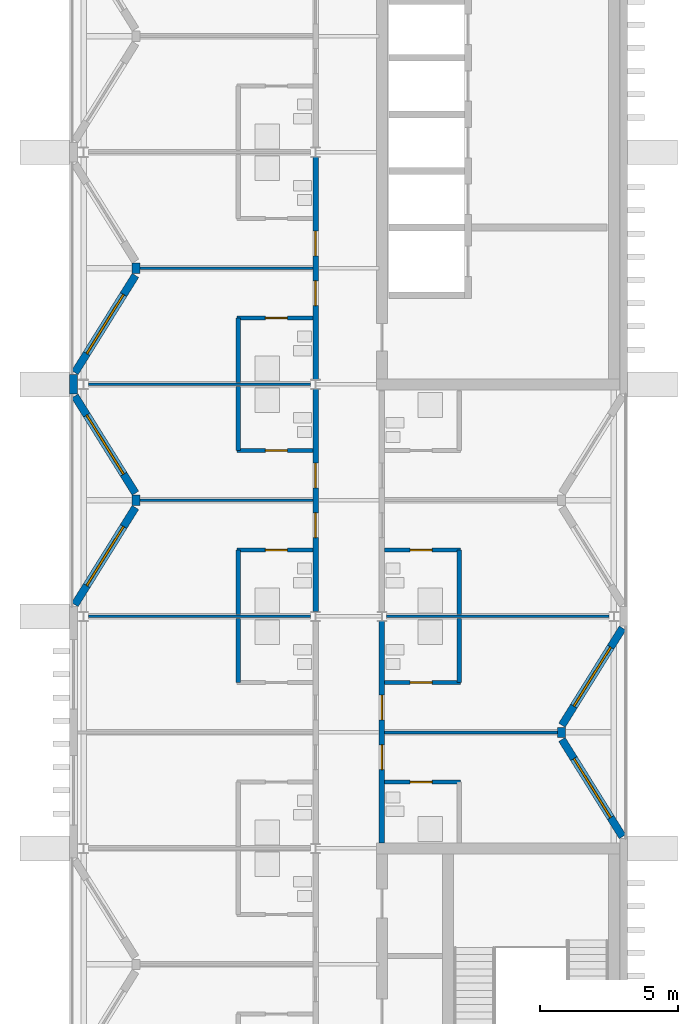
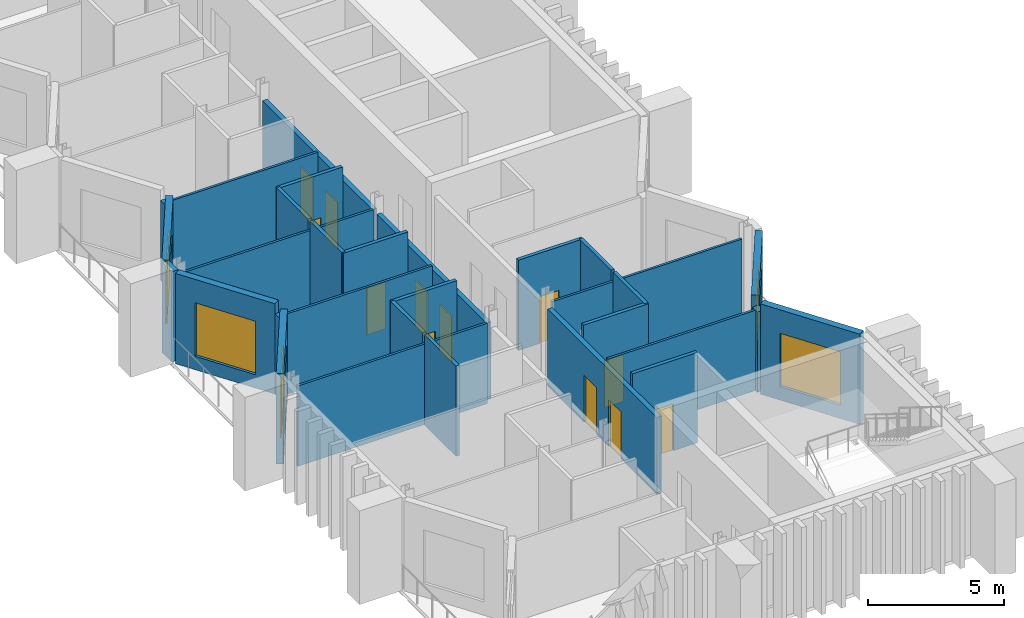
# One storey, part 5 of 11: 30 walls, 12 doors, 5 windows, 17 openings.
"""IFC4 building model written with IfcOpenShell, lengths in metres."""

from ifc_helpers import new_model, si_unit, direction, frame, frame_2d, origin, place, context, subcontext, project, spatial, rectangle, extrude, material, layer, layer_set, type_object, element, fill, save


model = new_model("IFC4")

# Units and contexts
model_context = context("Model", 3, precision=1e-05, world=origin(), true_north=direction((0.0, 1.0)))
body_context = subcontext(model_context, "Body", "Model", "MODEL_VIEW")
ifc_project = project(units=[si_unit("LENGTHUNIT", "METRE"), si_unit("AREAUNIT", "SQUARE_METRE"), si_unit("VOLUMEUNIT", "CUBIC_METRE"), si_unit("PLANEANGLEUNIT", "RADIAN"), si_unit("MASSUNIT", "GRAM", prefix="KILO")], contexts=[model_context])

# Site, building, storey
site_placement = place(None, origin())
site = spatial("IfcSite", under=ifc_project, at=site_placement, CompositionType="ELEMENT")
building_placement = place(site_placement, origin())
building = spatial("IfcBuilding", under=site, at=building_placement, Name="Cresset Court Congress Hotel", CompositionType="ELEMENT")
storey_placement = place(building_placement, frame((0.0, 0.0, 48.0)))
storey = spatial("IfcBuildingStorey", under=building, at=storey_placement, Name="L11", CompositionType="ELEMENT", Elevation=48.0)

# Wall, openings, doors
ifc_material_1 = material(Name="Gypsum board partition")
ifc_layer_1 = layer(ifc_material_1, 0.199951171875)
ifc_layer_set_1 = layer_set([ifc_layer_1], Name="Corridor wall 200")
wall_type_1 = type_object("IfcWallType", Name="Corridor wall 200", PredefinedType="PARTITIONING", material=ifc_layer_set_1)
wall_1_placement = place(storey_placement, frame((165.60009765625, 16.97509765625, 0.0), z_axis=(0.0, 0.0, 1.0), x_axis=(0.0, 1.0, 0.0)))
wall_1 = element("IfcWall", 1, at=wall_1_placement, inside=storey, type_object=wall_type_1, Name="A.wl.L11.072", PredefinedType="PARTITIONING", context=body_context, shape_type="SweptSolid", body=[
    extrude(rectangle(XDim=8.0498046875, YDim=0.199951171875, at=frame_2d((4.02490234375, 0.0))), origin(), (0.0, 0.0, 1.0), 3.449951171875),
])
opening_1_placement = place(wall_1_placement, frame((2.675048828125, 0.0, 0.0)))
opening_1 = element("IfcOpeningElement", 2, at=opening_1_placement, cuts=wall_1, Name="Opening DA-11-10", PredefinedType="OPENING", context=body_context, shape_type="SweptSolid", body=[
    extrude(rectangle(XDim=0.89990234375, YDim=2.10009765625, at=frame_2d((0.449951171875, 1.050048828125))), frame((0.0, 0.10986328125, 0.0), z_axis=(0.0, -1.0, 0.0), x_axis=(1.0, 0.0, 0.0)), (0.0, 0.0, 1.0), 0.219970703125),
])
opening_2_placement = place(wall_1_placement, frame((4.47509765625, 0.0, 0.0)))
opening_2 = element("IfcOpeningElement", 3, at=opening_2_placement, cuts=wall_1, Name="Opening DA-11-12", PredefinedType="OPENING", context=body_context, shape_type="SweptSolid", body=[
    extrude(rectangle(XDim=0.89990234375, YDim=2.10009765625, at=frame_2d((0.449951171875, 1.050048828125))), frame((0.0, 0.10986328125, 0.0), z_axis=(0.0, -1.0, 0.0), x_axis=(1.0, 0.0, 0.0)), (0.0, 0.0, 1.0), 0.219970703125),
])
ifc_material_2 = material(Name="timber", Category="wood")
door_type_1 = type_object("IfcDoorType", Name="Guest-room entry door 900x2100 FD30S", OperationType="SINGLE_SWING_LEFT", PredefinedType="DOOR", material=ifc_material_2)
door_1_placement = place(opening_1_placement, origin())
door_1 = element("IfcDoor", 4, at=door_1_placement, inside=storey, type_object=door_type_1, Name="Door DA-11-10", OperationType="SINGLE_SWING_RIGHT", OverallHeight=2.10009765625, OverallWidth=0.89990234375, PredefinedType="DOOR", context=body_context, shape_type="SweptSolid", body=[
    extrude(rectangle(XDim=0.89990234375, YDim=2.10009765625, at=frame_2d((0.449951171875, 1.050048828125))), frame((0.0, 0.02490234375, 0.0), z_axis=(0.0, -1.0, 0.0), x_axis=(1.0, 0.0, 0.0)), (0.0, 0.0, 1.0), 0.050048828125),
])
fill(opening_1, door_1)
door_2_placement = place(opening_2_placement, origin())
door_2 = element("IfcDoor", 5, at=door_2_placement, inside=storey, type_object=door_type_1, Name="Door DA-11-12", OperationType="SINGLE_SWING_LEFT", OverallHeight=2.10009765625, OverallWidth=0.89990234375, PredefinedType="DOOR", context=body_context, shape_type="SweptSolid", body=[
    extrude(rectangle(XDim=0.89990234375, YDim=2.10009765625, at=frame_2d((0.449951171875, 1.050048828125))), frame((0.0, 0.02490234375, 0.0), z_axis=(0.0, -1.0, 0.0), x_axis=(1.0, 0.0, 0.0)), (0.0, 0.0, 1.0), 0.050048828125),
])
fill(opening_2, door_2)

wall_2_placement = place(storey_placement, frame((165.60009765625, 25.375, 0.0), z_axis=(0.0, 0.0, 1.0), x_axis=(0.0, 1.0, 0.0)))
wall_2 = element("IfcWall", 6, at=wall_2_placement, inside=storey, type_object=wall_type_1, Name="A.wl.L11.073", PredefinedType="PARTITIONING", context=body_context, shape_type="SweptSolid", body=[
    extrude(rectangle(XDim=8.050048828125, YDim=0.199951171875, at=frame_2d((4.02490234375, 0.0))), origin(), (0.0, 0.0, 1.0), 3.449951171875),
])
opening_3_placement = place(wall_2_placement, frame((2.675048828125, 0.0, 0.0)))
opening_3 = element("IfcOpeningElement", 7, at=opening_3_placement, cuts=wall_2, Name="Opening DA-11-14", PredefinedType="OPENING", context=body_context, shape_type="SweptSolid", body=[
    extrude(rectangle(XDim=0.89990234375, YDim=2.10009765625, at=frame_2d((0.449951171875, 1.050048828125))), frame((0.0, 0.10986328125, 0.0), z_axis=(0.0, -1.0, 0.0), x_axis=(1.0, 0.0, 0.0)), (0.0, 0.0, 1.0), 0.219970703125),
])
opening_4_placement = place(wall_2_placement, frame((4.47509765625, 0.0, 0.0)))
opening_4 = element("IfcOpeningElement", 8, at=opening_4_placement, cuts=wall_2, Name="Opening DA-11-16", PredefinedType="OPENING", context=body_context, shape_type="SweptSolid", body=[
    extrude(rectangle(XDim=0.89990234375, YDim=2.10009765625, at=frame_2d((0.449951171875, 1.050048828125))), frame((0.0, 0.10986328125, 0.0), z_axis=(0.0, -1.0, 0.0), x_axis=(1.0, 0.0, 0.0)), (0.0, 0.0, 1.0), 0.219970703125),
])
door_3_placement = place(opening_3_placement, origin())
door_3 = element("IfcDoor", 9, at=door_3_placement, inside=storey, type_object=door_type_1, Name="Door DA-11-14", OperationType="SINGLE_SWING_RIGHT", OverallHeight=2.10009765625, OverallWidth=0.89990234375, PredefinedType="DOOR", context=body_context, shape_type="SweptSolid", body=[
    extrude(rectangle(XDim=0.89990234375, YDim=2.10009765625, at=frame_2d((0.449951171875, 1.050048828125))), frame((0.0, 0.02490234375, 0.0), z_axis=(0.0, -1.0, 0.0), x_axis=(1.0, 0.0, 0.0)), (0.0, 0.0, 1.0), 0.050048828125),
])
fill(opening_3, door_3)
door_4_placement = place(opening_4_placement, origin())
door_4 = element("IfcDoor", 10, at=door_4_placement, inside=storey, type_object=door_type_1, Name="Door DA-11-16", OperationType="SINGLE_SWING_LEFT", OverallHeight=2.10009765625, OverallWidth=0.89990234375, PredefinedType="DOOR", context=body_context, shape_type="SweptSolid", body=[
    extrude(rectangle(XDim=0.89990234375, YDim=2.10009765625, at=frame_2d((0.449951171875, 1.050048828125))), frame((0.0, 0.02490234375, 0.0), z_axis=(0.0, -1.0, 0.0), x_axis=(1.0, 0.0, 0.0)), (0.0, 0.0, 1.0), 0.050048828125),
])
fill(opening_4, door_4)

wall_3_placement = place(storey_placement, frame((168.0, 8.60009765625, 0.0), z_axis=(0.0, 0.0, 1.0), x_axis=(0.0, 1.0, 0.0)))
wall_3 = element("IfcWall", 11, at=wall_3_placement, inside=storey, type_object=wall_type_1, Name="A.wl.L11.078", PredefinedType="PARTITIONING", context=body_context, shape_type="SweptSolid", body=[
    extrude(rectangle(XDim=8.02490234375, YDim=0.199951171875, at=frame_2d((4.012451171875, 0.0))), origin(), (0.0, 0.0, 1.0), 3.449951171875),
])
opening_5_placement = place(wall_3_placement, frame((2.64990234375, 0.0, 0.0)))
opening_5 = element("IfcOpeningElement", 12, at=opening_5_placement, cuts=wall_3, Name="Opening DA-11-34", PredefinedType="OPENING", context=body_context, shape_type="SweptSolid", body=[
    extrude(rectangle(XDim=0.89990234375, YDim=2.10009765625, at=frame_2d((0.449951171875, 1.050048828125))), frame((0.0, 0.10986328125, 0.0), z_axis=(0.0, -1.0, 0.0), x_axis=(1.0, 0.0, 0.0)), (0.0, 0.0, 1.0), 0.219970703125),
])
opening_6_placement = place(wall_3_placement, frame((4.449951171875, 0.0, 0.0)))
opening_6 = element("IfcOpeningElement", 13, at=opening_6_placement, cuts=wall_3, Name="Opening DA-11-36", PredefinedType="OPENING", context=body_context, shape_type="SweptSolid", body=[
    extrude(rectangle(XDim=0.89990234375, YDim=2.10009765625, at=frame_2d((0.449951171875, 1.050048828125))), frame((0.0, 0.10986328125, 0.0), z_axis=(0.0, -1.0, 0.0), x_axis=(1.0, 0.0, 0.0)), (0.0, 0.0, 1.0), 0.219970703125),
])
door_5_placement = place(opening_5_placement, origin())
door_5 = element("IfcDoor", 14, at=door_5_placement, inside=storey, type_object=door_type_1, Name="Door DA-11-34", OperationType="SINGLE_SWING_RIGHT", OverallHeight=2.10009765625, OverallWidth=0.89990234375, PredefinedType="DOOR", context=body_context, shape_type="SweptSolid", body=[
    extrude(rectangle(XDim=0.89990234375, YDim=2.10009765625, at=frame_2d((0.449951171875, 1.050048828125))), frame((0.0, 0.02490234375, 0.0), z_axis=(0.0, -1.0, 0.0), x_axis=(1.0, 0.0, 0.0)), (0.0, 0.0, 1.0), 0.050048828125),
])
fill(opening_5, door_5)
door_6_placement = place(opening_6_placement, origin())
door_6 = element("IfcDoor", 15, at=door_6_placement, inside=storey, type_object=door_type_1, Name="Door DA-11-36", OperationType="SINGLE_SWING_LEFT", OverallHeight=2.10009765625, OverallWidth=0.89990234375, PredefinedType="DOOR", context=body_context, shape_type="SweptSolid", body=[
    extrude(rectangle(XDim=0.89990234375, YDim=2.10009765625, at=frame_2d((0.449951171875, 1.050048828125))), frame((0.0, 0.02490234375, 0.0), z_axis=(0.0, -1.0, 0.0), x_axis=(1.0, 0.0, 0.0)), (0.0, 0.0, 1.0), 0.050048828125),
])
fill(opening_6, door_6)

# Walls
ifc_material_3 = material(Name="Gypsum board partition")
ifc_layer_2 = layer(ifc_material_3, 0.14990234375)
ifc_layer_set_2 = layer_set([ifc_layer_2], Name="En-suite wall 150")
wall_type_2 = type_object("IfcWallType", Name="En-suite wall 150", PredefinedType="PARTITIONING", material=ifc_layer_set_2)
wall_4_placement = place(storey_placement, frame((162.800048828125, 14.39990234375, 0.0), z_axis=(0.0, 0.0, 1.0), x_axis=(0.0, 1.0, 0.0)))
element("IfcWall", 16, at=wall_4_placement, inside=storey, type_object=wall_type_2, Name="A.wl.L11.007", PredefinedType="PARTITIONING", context=body_context, shape_type="SweptSolid", body=[
    extrude(rectangle(XDim=2.3251953125, YDim=0.14990234375, at=frame_2d((1.16259765625, 0.0))), origin(), (0.0, 0.0, 1.0), 4.050048828125),
])
wall_5_placement = place(storey_placement, frame((162.800048828125, 16.875, 0.0), z_axis=(0.0, 0.0, 1.0), x_axis=(0.0, 1.0, 0.0)))
element("IfcWall", 17, at=wall_5_placement, inside=storey, type_object=wall_type_2, Name="A.wl.L11.009", PredefinedType="PARTITIONING", context=body_context, shape_type="SweptSolid", body=[
    extrude(rectangle(XDim=2.324951171875, YDim=0.14990234375, at=frame_2d((1.16259765625, 0.0))), origin(), (0.0, 0.0, 1.0), 4.050048828125),
])

# Wall, opening, door
wall_6_placement = place(storey_placement, frame((162.75, 19.199951171875, 0.0), z_axis=(0.0, 0.0, 1.0), x_axis=(1.0, 0.0, 0.0)))
wall_6 = element("IfcWall", 18, at=wall_6_placement, inside=storey, type_object=wall_type_2, Name="A.wl.L11.010", PredefinedType="PARTITIONING", context=body_context, shape_type="SweptSolid", body=[
    extrude(rectangle(XDim=2.75, YDim=0.14990234375, at=frame_2d((1.375, 0.0))), origin(), (0.0, 0.0, 1.0), 4.050048828125),
])
opening_7_placement = place(wall_6_placement, frame((1.030029296875, 0.0, 0.0)))
opening_7 = element("IfcOpeningElement", 19, at=opening_7_placement, cuts=wall_6, Name="Opening DA-11-09", PredefinedType="OPENING", context=body_context, shape_type="SweptSolid", body=[
    extrude(rectangle(XDim=0.800048828125, YDim=2.10009765625, at=frame_2d((0.39990234375, 1.050048828125))), frame((0.0, 0.0849609375, 0.0), z_axis=(0.0, -1.0, 0.0), x_axis=(1.0, 0.0, 0.0)), (0.0, 0.0, 1.0), 0.169921875),
])
ifc_material_4 = material(Name="timber", Category="wood")
door_type_2 = type_object("IfcDoorType", Name="En-suite door 800x2100", OperationType="SINGLE_SWING_LEFT", PredefinedType="DOOR", material=ifc_material_4)
door_7_placement = place(opening_7_placement, origin())
door_7 = element("IfcDoor", 20, at=door_7_placement, inside=storey, type_object=door_type_2, Name="Door DA-11-09", OperationType="SINGLE_SWING_RIGHT", OverallHeight=2.10009765625, OverallWidth=0.800048828125, PredefinedType="DOOR", context=body_context, shape_type="SweptSolid", body=[
    extrude(rectangle(XDim=0.800048828125, YDim=2.10009765625, at=frame_2d((0.39990234375, 1.050048828125))), frame((0.0, 0.02490234375, 0.0), z_axis=(0.0, -1.0, 0.0), x_axis=(1.0, 0.0, 0.0)), (0.0, 0.0, 1.0), 0.050048828125),
])
fill(opening_7, door_7)

# Wall
wall_7_placement = place(storey_placement, frame((162.800048828125, 22.800048828125, 0.0), z_axis=(0.0, 0.0, 1.0), x_axis=(0.0, 1.0, 0.0)))
element("IfcWall", 21, at=wall_7_placement, inside=storey, type_object=wall_type_2, Name="A.wl.L11.011", PredefinedType="PARTITIONING", context=body_context, shape_type="SweptSolid", body=[
    extrude(rectangle(XDim=2.324951171875, YDim=0.14990234375, at=frame_2d((1.16259765625, 0.0))), origin(), (0.0, 0.0, 1.0), 4.050048828125),
])

# Wall, opening, door
wall_8_placement = place(storey_placement, frame((162.75, 22.800048828125, 0.0), z_axis=(0.0, 0.0, 1.0), x_axis=(1.0, 0.0, 0.0)))
wall_8 = element("IfcWall", 22, at=wall_8_placement, inside=storey, type_object=wall_type_2, Name="A.wl.L11.012", PredefinedType="PARTITIONING", context=body_context, shape_type="SweptSolid", body=[
    extrude(rectangle(XDim=2.75, YDim=0.14990234375, at=frame_2d((1.375, 0.0))), origin(), (0.0, 0.0, 1.0), 4.050048828125),
])
opening_8_placement = place(wall_8_placement, frame((1.030029296875, 0.0, 0.0)))
opening_8 = element("IfcOpeningElement", 23, at=opening_8_placement, cuts=wall_8, Name="Opening DA-11-11", PredefinedType="OPENING", context=body_context, shape_type="SweptSolid", body=[
    extrude(rectangle(XDim=0.800048828125, YDim=2.10009765625, at=frame_2d((0.39990234375, 1.050048828125))), frame((0.0, 0.0849609375, 0.0), z_axis=(0.0, -1.0, 0.0), x_axis=(1.0, 0.0, 0.0)), (0.0, 0.0, 1.0), 0.169921875),
])
door_8_placement = place(opening_8_placement, origin())
door_8 = element("IfcDoor", 24, at=door_8_placement, inside=storey, type_object=door_type_2, Name="Door DA-11-11", OperationType="SINGLE_SWING_LEFT", OverallHeight=2.10009765625, OverallWidth=0.800048828125, PredefinedType="DOOR", context=body_context, shape_type="SweptSolid", body=[
    extrude(rectangle(XDim=0.800048828125, YDim=2.10009765625, at=frame_2d((0.39990234375, 1.050048828125))), frame((0.0, 0.02490234375, 0.0), z_axis=(0.0, -1.0, 0.0), x_axis=(1.0, 0.0, 0.0)), (0.0, 0.0, 1.0), 0.050048828125),
])
fill(opening_8, door_8)

# Wall
wall_9_placement = place(storey_placement, frame((162.800048828125, 25.27490234375, 0.0), z_axis=(0.0, 0.0, 1.0), x_axis=(0.0, 1.0, 0.0)))
element("IfcWall", 25, at=wall_9_placement, inside=storey, type_object=wall_type_2, Name="A.wl.L11.013", PredefinedType="PARTITIONING", context=body_context, shape_type="SweptSolid", body=[
    extrude(rectangle(XDim=2.3251953125, YDim=0.14990234375, at=frame_2d((1.16259765625, 0.0))), origin(), (0.0, 0.0, 1.0), 4.050048828125),
])

# Wall, opening, door
wall_10_placement = place(storey_placement, frame((162.75, 27.60009765625, 0.0), z_axis=(0.0, 0.0, 1.0), x_axis=(1.0, 0.0, 0.0)))
wall_10 = element("IfcWall", 26, at=wall_10_placement, inside=storey, type_object=wall_type_2, Name="A.wl.L11.014", PredefinedType="PARTITIONING", context=body_context, shape_type="SweptSolid", body=[
    extrude(rectangle(XDim=2.75, YDim=0.14990234375, at=frame_2d((1.375, 0.0))), origin(), (0.0, 0.0, 1.0), 4.050048828125),
])
opening_9_placement = place(wall_10_placement, frame((1.030029296875, 0.0, 0.0)))
opening_9 = element("IfcOpeningElement", 27, at=opening_9_placement, cuts=wall_10, Name="Opening DA-11-13", PredefinedType="OPENING", context=body_context, shape_type="SweptSolid", body=[
    extrude(rectangle(XDim=0.800048828125, YDim=2.10009765625, at=frame_2d((0.39990234375, 1.050048828125))), frame((0.0, 0.0849609375, 0.0), z_axis=(0.0, -1.0, 0.0), x_axis=(1.0, 0.0, 0.0)), (0.0, 0.0, 1.0), 0.169921875),
])
door_9_placement = place(opening_9_placement, origin())
door_9 = element("IfcDoor", 28, at=door_9_placement, inside=storey, type_object=door_type_2, Name="Door DA-11-13", OperationType="SINGLE_SWING_RIGHT", OverallHeight=2.10009765625, OverallWidth=0.800048828125, PredefinedType="DOOR", context=body_context, shape_type="SweptSolid", body=[
    extrude(rectangle(XDim=0.800048828125, YDim=2.10009765625, at=frame_2d((0.39990234375, 1.050048828125))), frame((0.0, 0.02490234375, 0.0), z_axis=(0.0, -1.0, 0.0), x_axis=(1.0, 0.0, 0.0)), (0.0, 0.0, 1.0), 0.050048828125),
])
fill(opening_9, door_9)

wall_11_placement = place(storey_placement, frame((170.85009765625, 10.800048828125, 0.0), z_axis=(0.0, 0.0, 1.0), x_axis=(-1.0, 0.0, 0.0)))
wall_11 = element("IfcWall", 29, at=wall_11_placement, inside=storey, type_object=wall_type_2, Name="A.wl.L11.034", PredefinedType="PARTITIONING", context=body_context, shape_type="SweptSolid", body=[
    extrude(rectangle(XDim=2.75, YDim=0.14990234375, at=frame_2d((1.375, 0.0))), origin(), (0.0, 0.0, 1.0), 4.050048828125),
])
opening_10_placement = place(wall_11_placement, frame((1.030029296875, 0.0, 0.0)))
opening_10 = element("IfcOpeningElement", 30, at=opening_10_placement, cuts=wall_11, Name="Opening DA-11-33", PredefinedType="OPENING", context=body_context, shape_type="SweptSolid", body=[
    extrude(rectangle(XDim=0.800048828125, YDim=2.10009765625, at=frame_2d((0.39990234375, 1.050048828125))), frame((0.0, 0.0849609375, 0.0), z_axis=(0.0, -1.0, 0.0), x_axis=(1.0, 0.0, 0.0)), (0.0, 0.0, 1.0), 0.169921875),
])
door_10_placement = place(opening_10_placement, origin())
door_10 = element("IfcDoor", 31, at=door_10_placement, inside=storey, type_object=door_type_2, Name="Door DA-11-33", OperationType="SINGLE_SWING_RIGHT", OverallHeight=2.10009765625, OverallWidth=0.800048828125, PredefinedType="DOOR", context=body_context, shape_type="SweptSolid", body=[
    extrude(rectangle(XDim=0.800048828125, YDim=2.10009765625, at=frame_2d((0.39990234375, 1.050048828125))), frame((0.0, 0.02490234375, 0.0), z_axis=(0.0, -1.0, 0.0), x_axis=(1.0, 0.0, 0.0)), (0.0, 0.0, 1.0), 0.050048828125),
])
fill(opening_10, door_10)

# Wall
wall_12_placement = place(storey_placement, frame((170.800048828125, 14.39990234375, 0.0), z_axis=(0.0, 0.0, 1.0), x_axis=(0.0, 1.0, 0.0)))
element("IfcWall", 32, at=wall_12_placement, inside=storey, type_object=wall_type_2, Name="A.wl.L11.035", PredefinedType="PARTITIONING", context=body_context, shape_type="SweptSolid", body=[
    extrude(rectangle(XDim=2.3251953125, YDim=0.14990234375, at=frame_2d((1.16259765625, 0.0))), origin(), (0.0, 0.0, 1.0), 4.050048828125),
])

# Wall, opening, door
wall_13_placement = place(storey_placement, frame((170.85009765625, 14.39990234375, 0.0), z_axis=(0.0, 0.0, 1.0), x_axis=(-1.0, 0.0, 0.0)))
wall_13 = element("IfcWall", 33, at=wall_13_placement, inside=storey, type_object=wall_type_2, Name="A.wl.L11.036", PredefinedType="PARTITIONING", context=body_context, shape_type="SweptSolid", body=[
    extrude(rectangle(XDim=2.75, YDim=0.14990234375, at=frame_2d((1.375, 0.0))), origin(), (0.0, 0.0, 1.0), 4.050048828125),
])
opening_11_placement = place(wall_13_placement, frame((1.030029296875, 0.0, 0.0)))
opening_11 = element("IfcOpeningElement", 34, at=opening_11_placement, cuts=wall_13, Name="Opening DA-11-35", PredefinedType="OPENING", context=body_context, shape_type="SweptSolid", body=[
    extrude(rectangle(XDim=0.800048828125, YDim=2.10009765625, at=frame_2d((0.39990234375, 1.050048828125))), frame((0.0, 0.0849609375, 0.0), z_axis=(0.0, -1.0, 0.0), x_axis=(1.0, 0.0, 0.0)), (0.0, 0.0, 1.0), 0.169921875),
])
door_11_placement = place(opening_11_placement, origin())
door_11 = element("IfcDoor", 35, at=door_11_placement, inside=storey, type_object=door_type_2, Name="Door DA-11-35", OperationType="SINGLE_SWING_LEFT", OverallHeight=2.10009765625, OverallWidth=0.800048828125, PredefinedType="DOOR", context=body_context, shape_type="SweptSolid", body=[
    extrude(rectangle(XDim=0.800048828125, YDim=2.10009765625, at=frame_2d((0.39990234375, 1.050048828125))), frame((0.0, 0.02490234375, 0.0), z_axis=(0.0, -1.0, 0.0), x_axis=(1.0, 0.0, 0.0)), (0.0, 0.0, 1.0), 0.050048828125),
])
fill(opening_11, door_11)

# Wall
wall_14_placement = place(storey_placement, frame((170.800048828125, 16.875, 0.0), z_axis=(0.0, 0.0, 1.0), x_axis=(0.0, 1.0, 0.0)))
element("IfcWall", 36, at=wall_14_placement, inside=storey, type_object=wall_type_2, Name="A.wl.L11.037", PredefinedType="PARTITIONING", context=body_context, shape_type="SweptSolid", body=[
    extrude(rectangle(XDim=2.324951171875, YDim=0.14990234375, at=frame_2d((1.16259765625, 0.0))), origin(), (0.0, 0.0, 1.0), 4.050048828125),
])

# Wall, opening, door
wall_15_placement = place(storey_placement, frame((170.85009765625, 19.199951171875, 0.0), z_axis=(0.0, 0.0, 1.0), x_axis=(-1.0, 0.0, 0.0)))
wall_15 = element("IfcWall", 37, at=wall_15_placement, inside=storey, type_object=wall_type_2, Name="A.wl.L11.038", PredefinedType="PARTITIONING", context=body_context, shape_type="SweptSolid", body=[
    extrude(rectangle(XDim=2.75, YDim=0.14990234375, at=frame_2d((1.375, 0.0))), origin(), (0.0, 0.0, 1.0), 4.050048828125),
])
opening_12_placement = place(wall_15_placement, frame((1.030029296875, 0.0, 0.0)))
opening_12 = element("IfcOpeningElement", 38, at=opening_12_placement, cuts=wall_15, Name="Opening DA-11-37", PredefinedType="OPENING", context=body_context, shape_type="SweptSolid", body=[
    extrude(rectangle(XDim=0.800048828125, YDim=2.10009765625, at=frame_2d((0.39990234375, 1.050048828125))), frame((0.0, 0.0849609375, 0.0), z_axis=(0.0, -1.0, 0.0), x_axis=(1.0, 0.0, 0.0)), (0.0, 0.0, 1.0), 0.169921875),
])
door_12_placement = place(opening_12_placement, origin())
door_12 = element("IfcDoor", 39, at=door_12_placement, inside=storey, type_object=door_type_2, Name="Door DA-11-37", OperationType="SINGLE_SWING_RIGHT", OverallHeight=2.10009765625, OverallWidth=0.800048828125, PredefinedType="DOOR", context=body_context, shape_type="SweptSolid", body=[
    extrude(rectangle(XDim=0.800048828125, YDim=2.10009765625, at=frame_2d((0.39990234375, 1.050048828125))), frame((0.0, 0.02490234375, 0.0), z_axis=(0.0, -1.0, 0.0), x_axis=(1.0, 0.0, 0.0)), (0.0, 0.0, 1.0), 0.050048828125),
])
fill(opening_12, door_12)

# Wall, opening, window
ifc_material_5 = material(Name="Precast concrete C50", Category="concrete")
ifc_layer_3 = layer(ifc_material_5, 0.280029296875)
ifc_layer_set_3 = layer_set([ifc_layer_3], Name="External wall 280")
wall_type_3 = type_object("IfcWallType", Name="External wall 280", PredefinedType="SOLIDWALL", material=ifc_layer_set_3)
wall_16_placement = place(storey_placement, frame((156.88623046875, 17.22412109375, 0.0), z_axis=(0.0, 0.0, 1.0), x_axis=(0.529018946142, 0.848610013271, 0.0)))
wall_16 = element("IfcWall", 40, at=wall_16_placement, inside=storey, type_object=wall_type_3, Name="A.ew.L11.Wn.2.0", PredefinedType="SOLIDWALL", context=body_context, shape_type="SweptSolid", body=[
    extrude(rectangle(XDim=4.144287109375, YDim=0.280029296875, at=frame_2d((2.072265625, 0.0))), origin(), (0.0, 0.0, 1.0), 4.050048828125),
])
opening_13_placement = place(wall_16_placement, frame((0.812255859375, 0.0, 0.60009765625)))
opening_13 = element("IfcOpeningElement", 41, at=opening_13_placement, cuts=wall_16, Name="Opening NA-11-05", PredefinedType="OPENING", context=body_context, shape_type="SweptSolid", body=[
    extrude(rectangle(XDim=2.52001953125, YDim=2.39990234375, at=frame_2d((1.260009765625, 1.199951171875))), frame((0.0, 0.14990234375, 0.0), z_axis=(0.0, -1.0, 0.0), x_axis=(1.0, 0.0, 0.0)), (0.0, 0.0, 1.0), 0.300048828125),
])
ifc_material_6 = material(Name="Aluminium and glass", Category="aluminium")
window_type = type_object("IfcWindowType", Name="Window 2520x2400", PartitioningType="SINGLE_PANEL", PredefinedType="WINDOW", material=ifc_material_6)
window_1_placement = place(opening_13_placement, origin())
window_1 = element("IfcWindow", 42, at=window_1_placement, inside=storey, type_object=window_type, Name="Window NA-11-05", OverallHeight=2.39990234375, OverallWidth=2.52001953125, PartitioningType="SINGLE_PANEL", PredefinedType="WINDOW", context=body_context, shape_type="SweptSolid", body=[
    extrude(rectangle(XDim=2.52001953125, YDim=2.39990234375, at=frame_2d((1.260009765625, 1.199951171875))), frame((0.0, 0.030029296875, 0.0), z_axis=(0.0, -1.0, 0.0), x_axis=(1.0, 0.0, 0.0)), (0.0, 0.0, 1.0), 0.06005859375),
])
fill(opening_13, window_1)

wall_17_placement = place(storey_placement, frame((159.07861328125, 21.259033203125, 0.0), z_axis=(0.0, 0.0, 1.0), x_axis=(-0.529018946142, 0.848610013271, 0.0)))
wall_17 = element("IfcWall", 43, at=wall_17_placement, inside=storey, type_object=wall_type_3, Name="A.ew.L11.Wn.2.1", PredefinedType="SOLIDWALL", context=body_context, shape_type="SweptSolid", body=[
    extrude(rectangle(XDim=4.144287109375, YDim=0.280029296875, at=frame_2d((2.072265625, 0.0))), origin(), (0.0, 0.0, 1.0), 4.050048828125),
])
opening_14_placement = place(wall_17_placement, frame((0.812255859375, 0.0, 0.60009765625)))
opening_14 = element("IfcOpeningElement", 44, at=opening_14_placement, cuts=wall_17, Name="Opening NA-11-06", PredefinedType="OPENING", context=body_context, shape_type="SweptSolid", body=[
    extrude(rectangle(XDim=2.52001953125, YDim=2.39990234375, at=frame_2d((1.260009765625, 1.199951171875))), frame((0.0, 0.14990234375, 0.0), z_axis=(0.0, -1.0, 0.0), x_axis=(1.0, 0.0, 0.0)), (0.0, 0.0, 1.0), 0.300048828125),
])
window_2_placement = place(opening_14_placement, origin())
window_2 = element("IfcWindow", 45, at=window_2_placement, inside=storey, type_object=window_type, Name="Window NA-11-06", OverallHeight=2.39990234375, OverallWidth=2.52001953125, PartitioningType="SINGLE_PANEL", PredefinedType="WINDOW", context=body_context, shape_type="SweptSolid", body=[
    extrude(rectangle(XDim=2.52001953125, YDim=2.39990234375, at=frame_2d((1.260009765625, 1.199951171875))), frame((0.0, 0.030029296875, 0.0), z_axis=(0.0, -1.0, 0.0), x_axis=(1.0, 0.0, 0.0)), (0.0, 0.0, 1.0), 0.06005859375),
])
fill(opening_14, window_2)

# Walls
wall_18_placement = place(storey_placement, frame((159.099609375, 20.815185546875, 0.0), z_axis=(0.0, 0.0, 1.0), x_axis=(0.0, 1.0, 0.0)))
element("IfcWall", 46, at=wall_18_placement, inside=storey, type_object=wall_type_3, Name="A.ew.L11.Wn.2.2", PredefinedType="SOLIDWALL", context=body_context, shape_type="SweptSolid", body=[
    extrude(rectangle(XDim=0.36962890625, YDim=0.280029296875, at=frame_2d((0.184814453125, 0.0))), origin(), (0.0, 0.0, 1.0), 3.60400390625),
])
wall_19_placement = place(storey_placement, frame((156.840087890625, 24.85009765625, 0.0), z_axis=(0.0, 0.0, 1.0), x_axis=(0.0, 1.0, 0.0)))
element("IfcWall", 47, at=wall_19_placement, inside=storey, type_object=wall_type_3, Name="A.ew.L11.W.3", PredefinedType="SOLIDWALL", context=body_context, shape_type="SweptSolid", body=[
    extrude(rectangle(XDim=0.699951171875, YDim=0.280029296875, at=frame_2d((0.35009765625, 0.0))), origin(), (0.0, 0.0, 1.0), 4.050048828125),
])

# Wall, opening, window
wall_20_placement = place(storey_placement, frame((156.88623046875, 25.6240234375, 0.0), z_axis=(0.0, 0.0, 1.0), x_axis=(0.528992500338, 0.848626498871, 0.0)))
wall_20 = element("IfcWall", 48, at=wall_20_placement, inside=storey, type_object=wall_type_3, Name="A.ew.L11.Wn.3.0", PredefinedType="SOLIDWALL", context=body_context, shape_type="SweptSolid", body=[
    extrude(rectangle(XDim=4.14453125, YDim=0.280029296875, at=frame_2d((2.072265625, 0.0))), origin(), (0.0, 0.0, 1.0), 4.050048828125),
])
opening_15_placement = place(wall_20_placement, frame((0.812255859375, 0.0, 0.60009765625)))
opening_15 = element("IfcOpeningElement", 49, at=opening_15_placement, cuts=wall_20, Name="Opening NA-11-07", PredefinedType="OPENING", context=body_context, shape_type="SweptSolid", body=[
    extrude(rectangle(XDim=2.52001953125, YDim=2.39990234375, at=frame_2d((1.260009765625, 1.199951171875))), frame((0.0, 0.14990234375, 0.0), z_axis=(0.0, -1.0, 0.0), x_axis=(1.0, 0.0, 0.0)), (0.0, 0.0, 1.0), 0.300048828125),
])
window_3_placement = place(opening_15_placement, origin())
window_3 = element("IfcWindow", 50, at=window_3_placement, inside=storey, type_object=window_type, Name="Window NA-11-07", OverallHeight=2.39990234375, OverallWidth=2.52001953125, PartitioningType="SINGLE_PANEL", PredefinedType="WINDOW", context=body_context, shape_type="SweptSolid", body=[
    extrude(rectangle(XDim=2.52001953125, YDim=2.39990234375, at=frame_2d((1.260009765625, 1.199951171875))), frame((0.0, 0.030029296875, 0.0), z_axis=(0.0, -1.0, 0.0), x_axis=(1.0, 0.0, 0.0)), (0.0, 0.0, 1.0), 0.06005859375),
])
fill(opening_15, window_3)

# Wall
wall_21_placement = place(storey_placement, frame((159.099609375, 29.215087890625, 0.0), z_axis=(0.0, 0.0, 1.0), x_axis=(0.0, 1.0, 0.0)))
element("IfcWall", 51, at=wall_21_placement, inside=storey, type_object=wall_type_3, Name="A.ew.L11.Wn.3.2", PredefinedType="SOLIDWALL", context=body_context, shape_type="SweptSolid", body=[
    extrude(rectangle(XDim=0.369873046875, YDim=0.280029296875, at=frame_2d((0.18505859375, 0.0))), origin(), (0.0, 0.0, 1.0), 3.60400390625),
])

# Wall, opening, window
wall_22_placement = place(storey_placement, frame((176.7138671875, 8.82421875, 0.0), z_axis=(0.0, 0.0, 1.0), x_axis=(-0.529018946142, 0.848610013271, 0.0)))
wall_22 = element("IfcWall", 52, at=wall_22_placement, inside=storey, type_object=wall_type_3, Name="A.ew.L11.En.1.0", PredefinedType="SOLIDWALL", context=body_context, shape_type="SweptSolid", body=[
    extrude(rectangle(XDim=4.144287109375, YDim=0.280029296875, at=frame_2d((2.072265625, 0.0))), origin(), (0.0, 0.0, 1.0), 4.050048828125),
])
opening_16_placement = place(wall_22_placement, frame((0.81201171875, 0.0, 0.60009765625)))
opening_16 = element("IfcOpeningElement", 53, at=opening_16_placement, cuts=wall_22, Name="Opening NA-11-17", PredefinedType="OPENING", context=body_context, shape_type="SweptSolid", body=[
    extrude(rectangle(XDim=2.52001953125, YDim=2.39990234375, at=frame_2d((1.260009765625, 1.199951171875))), frame((0.0, 0.14990234375, 0.0), z_axis=(0.0, -1.0, 0.0), x_axis=(1.0, 0.0, 0.0)), (0.0, 0.0, 1.0), 0.300048828125),
])
window_4_placement = place(opening_16_placement, origin())
window_4 = element("IfcWindow", 54, at=window_4_placement, inside=storey, type_object=window_type, Name="Window NA-11-17", OverallHeight=2.39990234375, OverallWidth=2.52001953125, PartitioningType="SINGLE_PANEL", PredefinedType="WINDOW", context=body_context, shape_type="SweptSolid", body=[
    extrude(rectangle(XDim=2.52001953125, YDim=2.39990234375, at=frame_2d((1.260009765625, 1.199951171875))), frame((0.0, 0.030029296875, 0.0), z_axis=(0.0, -1.0, 0.0), x_axis=(1.0, 0.0, 0.0)), (0.0, 0.0, 1.0), 0.06005859375),
])
fill(opening_16, window_4)

wall_23_placement = place(storey_placement, frame((174.521484375, 12.85888671875, 0.0), z_axis=(0.0, 0.0, 1.0), x_axis=(0.528992500338, 0.848626498871, 0.0)))
wall_23 = element("IfcWall", 55, at=wall_23_placement, inside=storey, type_object=wall_type_3, Name="A.ew.L11.En.1.1", PredefinedType="SOLIDWALL", context=body_context, shape_type="SweptSolid", body=[
    extrude(rectangle(XDim=4.14453125, YDim=0.280029296875, at=frame_2d((2.072265625, 0.0))), origin(), (0.0, 0.0, 1.0), 4.050048828125),
])
opening_17_placement = place(wall_23_placement, frame((0.81201171875, 0.0, 0.60009765625)))
opening_17 = element("IfcOpeningElement", 56, at=opening_17_placement, cuts=wall_23, Name="Opening NA-11-18", PredefinedType="OPENING", context=body_context, shape_type="SweptSolid", body=[
    extrude(rectangle(XDim=2.52001953125, YDim=2.39990234375, at=frame_2d((1.260009765625, 1.199951171875))), frame((0.0, 0.14990234375, 0.0), z_axis=(0.0, -1.0, 0.0), x_axis=(1.0, 0.0, 0.0)), (0.0, 0.0, 1.0), 0.300048828125),
])
window_5_placement = place(opening_17_placement, origin())
window_5 = element("IfcWindow", 57, at=window_5_placement, inside=storey, type_object=window_type, Name="Window NA-11-18", OverallHeight=2.39990234375, OverallWidth=2.52001953125, PartitioningType="SINGLE_PANEL", PredefinedType="WINDOW", context=body_context, shape_type="SweptSolid", body=[
    extrude(rectangle(XDim=2.52001953125, YDim=2.39990234375, at=frame_2d((1.260009765625, 1.199951171875))), frame((0.0, 0.030029296875, 0.0), z_axis=(0.0, -1.0, 0.0), x_axis=(1.0, 0.0, 0.0)), (0.0, 0.0, 1.0), 0.06005859375),
])
fill(opening_17, window_5)

# Walls
wall_24_placement = place(storey_placement, frame((174.500244140625, 12.4150390625, 0.0), z_axis=(0.0, 0.0, 1.0), x_axis=(0.0, 1.0, 0.0)))
element("IfcWall", 58, at=wall_24_placement, inside=storey, type_object=wall_type_3, Name="A.ew.L11.En.1.2", PredefinedType="SOLIDWALL", context=body_context, shape_type="SweptSolid", body=[
    extrude(rectangle(XDim=0.369873046875, YDim=0.280029296875, at=frame_2d((0.18505859375, 0.0))), origin(), (0.0, 0.0, 1.0), 3.60400390625),
])
ifc_material_7 = material(Name="Gypsum board partition")
ifc_layer_4 = layer(ifc_material_7, 0.10009765625)
ifc_layer_set_4 = layer_set([ifc_layer_4], Name="Guest-room partition 100")
wall_type_4 = type_object("IfcWallType", Name="Guest-room partition 100", PredefinedType="PARTITIONING", material=ifc_layer_set_4)
for number, where, z_axis, x_axis, name in (
    (59, (157.375, 16.800048828125, 0.0), (0.0, 0.0, 1.0), (1.0, 0.0, 0.0), "A.wl.L11.050"),
    (60, (157.375, 25.199951171875, 0.0), (0.0, 0.0, 1.0), (1.0, 0.0, 0.0), "A.wl.L11.051"),
    (61, (168.175048828125, 16.800048828125, 0.0), (0.0, 0.0, 1.0), (1.0, 0.0, 0.0), "A.wl.L11.056"),
):
    element("IfcWall", number, at=place(storey_placement, frame(where, z_axis=z_axis, x_axis=x_axis)), inside=storey, type_object=wall_type_4, Name=name, PredefinedType="PARTITIONING", context=body_context, shape_type="SweptSolid", body=[
        extrude(rectangle(XDim=8.050048828125, YDim=0.10009765625, at=frame_2d((4.02490234375, 0.0))), origin(), (0.0, 0.0, 1.0), 3.60400390625),
    ])
for number, where, z_axis, x_axis, name in (
    (62, (159.23974609375, 21.0, 0.0), (0.0, 0.0, 1.0), (1.0, 0.0, 0.0), "A.wl.L11.060"),
    (63, (159.23974609375, 29.39990234375, 0.0), (0.0, 0.0, 1.0), (1.0, 0.0, 0.0), "A.wl.L11.061"),
    (64, (168.10009765625, 12.60009765625, 0.0), (0.0, 0.0, 1.0), (1.0, 0.0, 0.0), "A.wl.L11.066"),
):
    element("IfcWall", number, at=place(storey_placement, frame(where, z_axis=z_axis, x_axis=x_axis)), inside=storey, type_object=wall_type_4, Name=name, PredefinedType="PARTITIONING", context=body_context, shape_type="SweptSolid", body=[
        extrude(rectangle(XDim=6.26025390625, YDim=0.10009765625, at=frame_2d((3.130126953125, 0.0))), origin(), (0.0, 0.0, 1.0), 3.60400390625),
    ])

save(model, "model.ifc")
